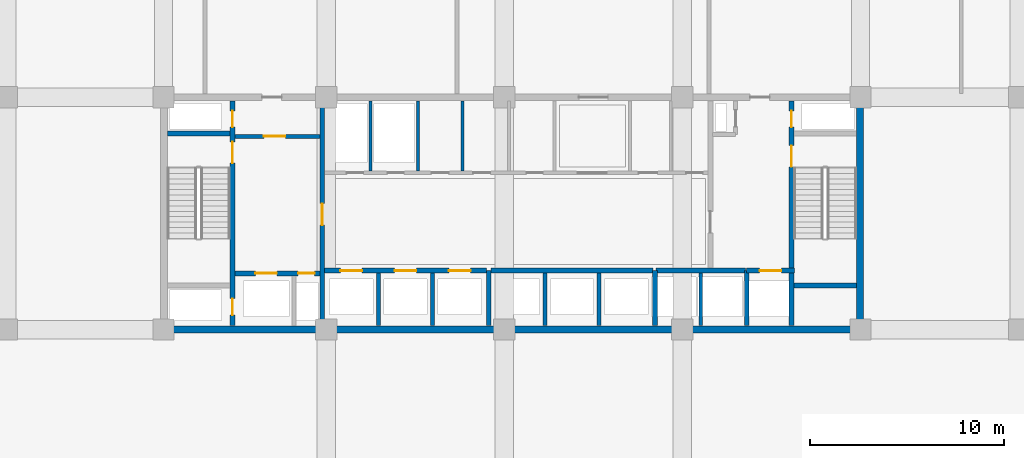
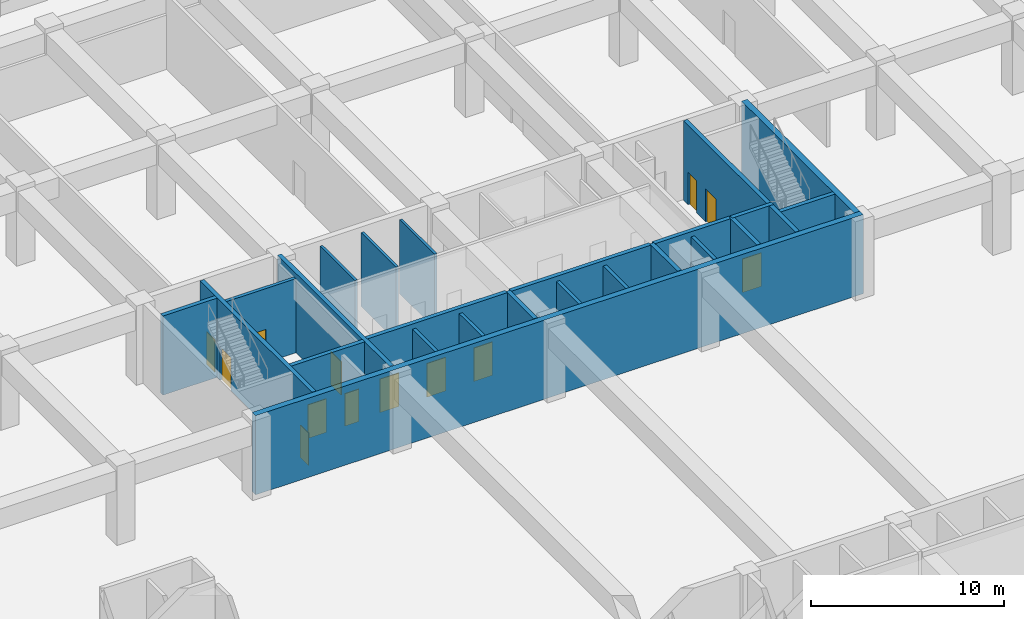
# One storey, part 28 of 38: 24 walls, 13 doors, 13 openings.
"""IFC4 building model written with IfcOpenShell, lengths in metres."""

from ifc_helpers import new_model, si_unit, direction, frame, frame_2d, origin, place, context, subcontext, project, spatial, rectangle, extrude, material, layer, layer_set, type_object, element, fill, save


model = new_model("IFC4")

# Units and contexts
model_context = context("Model", 3, precision=1e-05, world=origin(), true_north=direction((0.0, 1.0)))
body_context = subcontext(model_context, "Body", "Model", "MODEL_VIEW")
ifc_project = project(units=[si_unit("LENGTHUNIT", "METRE"), si_unit("AREAUNIT", "SQUARE_METRE"), si_unit("VOLUMEUNIT", "CUBIC_METRE"), si_unit("PLANEANGLEUNIT", "RADIAN"), si_unit("MASSUNIT", "GRAM", prefix="KILO")], contexts=[model_context])

# Site, building, storey
site_placement = place(None, origin())
site = spatial("IfcSite", under=ifc_project, at=site_placement, CompositionType="ELEMENT")
building_placement = place(site_placement, origin())
building = spatial("IfcBuilding", under=site, at=building_placement, Name="Korimba Cascade Residences", CompositionType="ELEMENT")
storey_placement = place(building_placement, frame((0.0, 0.0, 19.0)))
storey = spatial("IfcBuildingStorey", under=building, at=storey_placement, Name="L04", CompositionType="ELEMENT", Elevation=19.0)

# Walls
ifc_material_1 = material(Name="Concrete C65/80", Category="concrete")
ifc_layer_1 = layer(ifc_material_1, 0.35009765625)
ifc_layer_set_1 = layer_set([ifc_layer_1], Name="Concrete C65/80")
wall_type_1 = type_object("IfcWallType", Name="WAL-CORE-350", PredefinedType="SHEAR", material=ifc_layer_set_1)
wall_1_placement = place(storey_placement, frame((75.949951171875, 55.199951171875, 0.0), z_axis=(0.0, 0.0, 1.0), x_axis=(1.0, 0.0, 0.0)))
element("IfcWall", 1, at=wall_1_placement, inside=storey, type_object=wall_type_1, Name="L04 Core Shear Wall CW-L04-T1-S", PredefinedType="SHEAR", context=body_context, shape_type="SweptSolid", body=[
    extrude(rectangle(XDim=36.300048828125, YDim=0.35009765625, at=frame_2d((18.14990234375, 0.0))), origin(), (0.0, 0.0, 1.0), 5.0),
])
wall_2_placement = place(storey_placement, frame((112.074951171875, 55.375, 0.0), z_axis=(0.0, 0.0, 1.0), x_axis=(0.0, 1.0, 0.0)))
element("IfcWall", 2, at=wall_2_placement, inside=storey, type_object=wall_type_1, Name="L04 Core Shear Wall CW-L04-T1-E", PredefinedType="SHEAR", context=body_context, shape_type="SweptSolid", body=[
    extrude(rectangle(XDim=11.64990234375, YDim=0.35009765625, at=frame_2d((5.824951171875, 0.0))), origin(), (0.0, 0.0, 1.0), 5.0),
])
ifc_material_2 = material(Name="Insulated Acoustic Stud Partition", Category="gypsum")
ifc_layer_2 = layer(ifc_material_2, 0.14990234375)
ifc_layer_set_2 = layer_set([ifc_layer_2], Name="Insulated Acoustic Stud Partition")
wall_type_2 = type_object("IfcWallType", Name="WAL-PART-150", PredefinedType="PARTITIONING", material=ifc_layer_set_2)
for number, where, z_axis, x_axis, name in (
    (3, (86.800048828125, 63.39990234375, 0.0), (0.0, 0.0, 1.0), (0.0, 1.0, 0.0), "L04 Partition Wall CW-L04-T1-ERDIV"),
    (4, (89.25, 63.39990234375, 0.0), (0.0, 0.0, 1.0), (0.0, 1.0, 0.0), "L04 Partition Wall CW-L04-T1-PRDIV"),
    (5, (91.550048828125, 63.39990234375, 0.0), (0.0, 0.0, 1.0), (0.0, 1.0, 0.0), "L04 Partition Wall CW-L04-T1-CA1W1"),
):
    element("IfcWall", number, at=place(storey_placement, frame(where, z_axis=z_axis, x_axis=x_axis)), inside=storey, type_object=wall_type_2, Name=name, PredefinedType="PARTITIONING", context=body_context, shape_type="SweptSolid", body=[
        extrude(rectangle(XDim=3.60009765625, YDim=0.14990234375, at=frame_2d((1.800048828125, 0.0))), origin(), (0.0, 0.0, 1.0), 4.679931640625),
    ])

# Wall, opening, door
ifc_material_3 = material(Name="Concrete C40/50", Category="concrete")
ifc_layer_3 = layer(ifc_material_3, 0.199951171875)
ifc_layer_set_3 = layer_set([ifc_layer_3], Name="Concrete C40/50")
wall_type_3 = type_object("IfcWallType", Name="WAL-PART-200", PredefinedType="PARTITIONING", material=ifc_layer_set_3)
wall_3_placement = place(storey_placement, frame((79.7900390625, 65.179931640625, 0.0), z_axis=(0.0, 0.0, 1.0), x_axis=(1.0, 0.0, 0.0)))
wall_3 = element("IfcWall", 6, at=wall_3_placement, inside=storey, type_object=wall_type_3, Name="L04 Partition Wall CW-L04-T1-FFLN", PredefinedType="PARTITIONING", context=body_context, shape_type="SweptSolid", body=[
    extrude(rectangle(XDim=4.389892578125, YDim=0.199951171875, at=frame_2d((2.19482421875, 0.0))), origin(), (0.0, 0.0, 1.0), 4.679931640625),
])
opening_1_placement = place(wall_3_placement, frame((1.5, 0.0, 0.0)))
opening_1 = element("IfcOpeningElement", 7, at=opening_1_placement, cuts=wall_3, Name="Opening D-FD1", PredefinedType="OPENING", context=body_context, shape_type="SweptSolid", body=[
    extrude(rectangle(XDim=1.10009765625, YDim=2.10009765625, at=frame_2d((0.550048828125, 1.050048828125))), frame((0.0, 0.10986328125, 0.0), z_axis=(0.0, -1.0, 0.0), x_axis=(1.0, 0.0, 0.0)), (0.0, 0.0, 1.0), 0.219970703125),
])
ifc_material_4 = material(Name="Fire-Rated Steel Core Door", Category="steel")
door_type_1 = type_object("IfcDoorType", Name="DR-FD120-1100", OperationType="NOTDEFINED", PredefinedType="DOOR", material=ifc_material_4)
door_1_placement = place(opening_1_placement, origin())
door_1 = element("IfcDoor", 8, at=door_1_placement, inside=storey, type_object=door_type_1, Name="L04 West Firefighting Lobby Door", OperationType="SINGLE_SWING_RIGHT", OverallHeight=2.10009765625, OverallWidth=1.10009765625, PredefinedType="DOOR", context=body_context, shape_type="SweptSolid", body=[
    extrude(rectangle(XDim=1.10009765625, YDim=2.10009765625, at=frame_2d((0.550048828125, 1.050048828125))), frame((0.0, 0.02490234375, 0.0), z_axis=(0.0, -1.0, 0.0), x_axis=(1.0, 0.0, 0.0)), (0.0, 0.0, 1.0), 0.050048828125),
])
fill(opening_1, door_1)

# Walls
for number, where, z_axis, x_axis, name in (
    (9, (87.199951171875, 55.39990234375, 0.0), (0.0, 0.0, 1.0), (0.0, 1.0, 0.0), "L04 Partition Wall CW-L04-T1-B1D1"),
    (10, (90.0, 55.39990234375, 0.0), (0.0, 0.0, 1.0), (0.0, 1.0, 0.0), "L04 Partition Wall CW-L04-T1-B1D2"),
    (11, (95.800048828125, 55.39990234375, 0.0), (0.0, 0.0, 1.0), (0.0, 1.0, 0.0), "L04 Partition Wall CW-L04-T1-B2D1"),
    (12, (98.60009765625, 55.39990234375, 0.0), (0.0, 0.0, 1.0), (0.0, 1.0, 0.0), "L04 Partition Wall CW-L04-T1-B2D2"),
    (13, (103.85009765625, 55.39990234375, 0.0), (0.0, 0.0, 1.0), (0.0, 1.0, 0.0), "L04 Partition Wall CW-L04-T1-B3D1"),
):
    element("IfcWall", number, at=place(storey_placement, frame(where, z_axis=z_axis, x_axis=x_axis)), inside=storey, type_object=wall_type_3, Name=name, PredefinedType="PARTITIONING", context=body_context, shape_type="SweptSolid", body=[
        extrude(rectangle(XDim=2.72021484375, YDim=0.199951171875, at=frame_2d((1.360107421875, 0.0))), origin(), (0.0, 0.0, 1.0), 4.679931640625),
    ])

# Wall, openings, doors
ifc_material_5 = material(Name="Concrete C50/60", Category="concrete")
ifc_layer_4 = layer(ifc_material_5, 0.25)
ifc_layer_set_4 = layer_set([ifc_layer_4], Name="Concrete C50/60")
wall_type_4 = type_object("IfcWallType", Name="WAL-SHAFT-250", PredefinedType="SHEAR", material=ifc_layer_set_4)
wall_4_placement = place(storey_placement, frame((79.6650390625, 55.39990234375, 0.0), z_axis=(0.0, 0.0, 1.0), x_axis=(0.0, 1.0, 0.0)))
wall_4 = element("IfcWall", 14, at=wall_4_placement, inside=storey, type_object=wall_type_4, Name="L04 Core Shear Wall CW-L04-T1-STW1E", PredefinedType="SHEAR", context=body_context, shape_type="SweptSolid", body=[
    extrude(rectangle(XDim=11.60009765625, YDim=0.25, at=frame_2d((5.800048828125, 0.0))), origin(), (0.0, 0.0, 1.0), 5.0),
])
opening_2_placement = place(wall_4_placement, frame((0.550048828125, 0.0, 0.0)))
opening_2 = element("IfcOpeningElement", 15, at=opening_2_placement, cuts=wall_4, Name="Opening D-RS1", PredefinedType="OPENING", context=body_context, shape_type="SweptSolid", body=[
    extrude(rectangle(XDim=0.85009765625, YDim=2.050048828125, at=frame_2d((0.425048828125, 1.02490234375))), frame((0.0, 0.135009765625, 0.0), z_axis=(0.0, -1.0, 0.0), x_axis=(1.0, 0.0, 0.0)), (0.0, 0.0, 1.0), 0.27001953125),
])
opening_3_placement = place(wall_4_placement, frame((8.39990234375, 0.0, 0.0)))
opening_3 = element("IfcOpeningElement", 16, at=opening_3_placement, cuts=wall_4, Name="Opening D-FD1", PredefinedType="OPENING", context=body_context, shape_type="SweptSolid", body=[
    extrude(rectangle(XDim=1.10009765625, YDim=2.10009765625, at=frame_2d((0.550048828125, 1.050048828125))), frame((0.0, 0.135009765625, 0.0), z_axis=(0.0, -1.0, 0.0), x_axis=(1.0, 0.0, 0.0)), (0.0, 0.0, 1.0), 0.27001953125),
])
opening_4_placement = place(wall_4_placement, frame((10.25, 0.0, 0.0)))
opening_4 = element("IfcOpeningElement", 17, at=opening_4_placement, cuts=wall_4, Name="Opening D-RS1", PredefinedType="OPENING", context=body_context, shape_type="SweptSolid", body=[
    extrude(rectangle(XDim=0.85009765625, YDim=2.050048828125, at=frame_2d((0.425048828125, 1.02490234375))), frame((0.0, 0.135009765625, 0.0), z_axis=(0.0, -1.0, 0.0), x_axis=(1.0, 0.0, 0.0)), (0.0, 0.0, 1.0), 0.27001953125),
])
door_2_placement = place(opening_3_placement, origin())
door_2 = element("IfcDoor", 18, at=door_2_placement, inside=storey, type_object=door_type_1, Name="L04 Fire Stair ST-W1 Door", OperationType="SINGLE_SWING_LEFT", OverallHeight=2.10009765625, OverallWidth=1.10009765625, PredefinedType="DOOR", context=body_context, shape_type="SweptSolid", body=[
    extrude(rectangle(XDim=1.10009765625, YDim=2.10009765625, at=frame_2d((0.550048828125, 1.050048828125))), frame((0.0, 0.02490234375, 0.0), z_axis=(0.0, -1.0, 0.0), x_axis=(1.0, 0.0, 0.0)), (0.0, 0.0, 1.0), 0.050048828125),
])
fill(opening_3, door_2)
ifc_material_6 = material(Name="Fire-Rated Steel Riser Access Door", Category="steel")
door_type_2 = type_object("IfcDoorType", Name="DR-FD60-850", OperationType="NOTDEFINED", PredefinedType="DOOR", material=ifc_material_6)
door_3_placement = place(opening_2_placement, origin())
door_3 = element("IfcDoor", 19, at=door_3_placement, inside=storey, type_object=door_type_2, Name="L04 Smoke Riser Access Door", OperationType="SINGLE_SWING_RIGHT", OverallHeight=2.050048828125, OverallWidth=0.85009765625, PredefinedType="DOOR", context=body_context, shape_type="SweptSolid", body=[
    extrude(rectangle(XDim=0.85009765625, YDim=2.050048828125, at=frame_2d((0.425048828125, 1.02490234375))), frame((0.0, 0.02490234375, 0.0), z_axis=(0.0, -1.0, 0.0), x_axis=(1.0, 0.0, 0.0)), (0.0, 0.0, 1.0), 0.050048828125),
])
fill(opening_2, door_3)
door_4_placement = place(opening_4_placement, origin())
door_4 = element("IfcDoor", 20, at=door_4_placement, inside=storey, type_object=door_type_2, Name="L04 Hydrant Riser Access Door", OperationType="SINGLE_SWING_RIGHT", OverallHeight=2.050048828125, OverallWidth=0.85009765625, PredefinedType="DOOR", context=body_context, shape_type="SweptSolid", body=[
    extrude(rectangle(XDim=0.85009765625, YDim=2.050048828125, at=frame_2d((0.425048828125, 1.02490234375))), frame((0.0, 0.02490234375, 0.0), z_axis=(0.0, -1.0, 0.0), x_axis=(1.0, 0.0, 0.0)), (0.0, 0.0, 1.0), 0.050048828125),
])
fill(opening_4, door_4)

# Wall
wall_5_placement = place(storey_placement, frame((76.300048828125, 65.324951171875, 0.0), z_axis=(0.0, 0.0, 1.0), x_axis=(1.0, 0.0, 0.0)))
element("IfcWall", 21, at=wall_5_placement, inside=storey, type_object=wall_type_4, Name="L04 Core Shear Wall CW-L04-T1-STW1N", PredefinedType="SHEAR", context=body_context, shape_type="SweptSolid", body=[
    extrude(rectangle(XDim=3.239990234375, YDim=0.25, at=frame_2d((1.6201171875, 0.0))), origin(), (0.0, 0.0, 1.0), 5.0),
])

# Wall, openings, doors
wall_6_placement = place(storey_placement, frame((79.7900390625, 58.10009765625, 0.0), z_axis=(0.0, 0.0, 1.0), x_axis=(1.0, 0.0, 0.0)))
wall_6 = element("IfcWall", 22, at=wall_6_placement, inside=storey, type_object=wall_type_4, Name="L04 Core Shear Wall CW-L04-T1-FFLS", PredefinedType="SHEAR", context=body_context, shape_type="SweptSolid", body=[
    extrude(rectangle(XDim=4.389892578125, YDim=0.25, at=frame_2d((2.19482421875, 0.0))), origin(), (0.0, 0.0, 1.0), 5.0),
])
opening_5_placement = place(wall_6_placement, frame((1.050048828125, 0.0, 0.0)))
opening_5 = element("IfcOpeningElement", 23, at=opening_5_placement, cuts=wall_6, Name="Opening LD-01", PredefinedType="OPENING", context=body_context, shape_type="SweptSolid", body=[
    extrude(rectangle(XDim=1.1201171875, YDim=2.1201171875, at=frame_2d((0.56005859375, 1.06005859375))), frame((0.0, 0.135009765625, 0.0), z_axis=(0.0, -1.0, 0.0), x_axis=(1.0, 0.0, 0.0)), (0.0, 0.0, 1.0), 0.27001953125),
])
opening_6_placement = place(wall_6_placement, frame((3.260009765625, 0.0, 0.0)))
opening_6 = element("IfcOpeningElement", 24, at=opening_6_placement, cuts=wall_6, Name="Opening D-RS1", PredefinedType="OPENING", context=body_context, shape_type="SweptSolid", body=[
    extrude(rectangle(XDim=0.85009765625, YDim=2.050048828125, at=frame_2d((0.425048828125, 1.02490234375))), frame((0.0, 0.135009765625, 0.0), z_axis=(0.0, -1.0, 0.0), x_axis=(1.0, 0.0, 0.0)), (0.0, 0.0, 1.0), 0.27001953125),
])
door_5_placement = place(opening_6_placement, origin())
door_5 = element("IfcDoor", 25, at=door_5_placement, inside=storey, type_object=door_type_2, Name="L04 Pressurisation Riser Door", OperationType="SINGLE_SWING_LEFT", OverallHeight=2.050048828125, OverallWidth=0.85009765625, PredefinedType="DOOR", context=body_context, shape_type="SweptSolid", body=[
    extrude(rectangle(XDim=0.85009765625, YDim=2.050048828125, at=frame_2d((0.425048828125, 1.02490234375))), frame((0.0, 0.02490234375, 0.0), z_axis=(0.0, -1.0, 0.0), x_axis=(1.0, 0.0, 0.0)), (0.0, 0.0, 1.0), 0.050048828125),
])
fill(opening_6, door_5)
ifc_material_7 = material(Name="Stainless Steel Lift Landing Sliding Door", Category="steel")
door_type_3 = type_object("IfcDoorType", Name="DR-LIFT-1100", OperationType="NOTDEFINED", PredefinedType="DOOR", material=ifc_material_7)
door_6_placement = place(opening_5_placement, origin())
door_6 = element("IfcDoor", 26, at=door_6_placement, inside=storey, type_object=door_type_3, Name="L04 Firefighting Lift Landing Door FFL-W1", OperationType="SLIDING_TO_LEFT", OverallHeight=2.1201171875, OverallWidth=1.1201171875, PredefinedType="DOOR", context=body_context, shape_type="SweptSolid", body=[
    extrude(rectangle(XDim=1.1201171875, YDim=2.1201171875, at=frame_2d((0.56005859375, 1.06005859375))), frame((0.0, 0.02490234375, 0.0), z_axis=(0.0, -1.0, 0.0), x_axis=(1.0, 0.0, 0.0)), (0.0, 0.0, 1.0), 0.050048828125),
])
fill(opening_5, door_6)

# Wall, opening, door
wall_7_placement = place(storey_placement, frame((84.300048828125, 55.39990234375, 0.0), z_axis=(0.0, 0.0, 1.0), x_axis=(0.0, 1.0, 0.0)))
wall_7 = element("IfcWall", 27, at=wall_7_placement, inside=storey, type_object=wall_type_4, Name="L04 Core Shear Wall CW-L04-T1-FFLE", PredefinedType="SHEAR", context=body_context, shape_type="SweptSolid", body=[
    extrude(rectangle(XDim=11.60009765625, YDim=0.25, at=frame_2d((5.800048828125, 0.0))), origin(), (0.0, 0.0, 1.0), 5.0),
])
opening_7_placement = place(wall_7_placement, frame((5.199951171875, 0.0, 0.0)))
opening_7 = element("IfcOpeningElement", 28, at=opening_7_placement, cuts=wall_7, Name="Opening D-FD1", PredefinedType="OPENING", context=body_context, shape_type="SweptSolid", body=[
    extrude(rectangle(XDim=1.10009765625, YDim=2.10009765625, at=frame_2d((0.550048828125, 1.050048828125))), frame((0.0, 0.135009765625, 0.0), z_axis=(0.0, -1.0, 0.0), x_axis=(1.0, 0.0, 0.0)), (0.0, 0.0, 1.0), 0.27001953125),
])
door_7_placement = place(opening_7_placement, origin())
door_7 = element("IfcDoor", 29, at=door_7_placement, inside=storey, type_object=door_type_1, Name="L04 Firefighting Lobby to Lift Lobby Door", OperationType="SINGLE_SWING_LEFT", OverallHeight=2.10009765625, OverallWidth=1.10009765625, PredefinedType="DOOR", context=body_context, shape_type="SweptSolid", body=[
    extrude(rectangle(XDim=1.10009765625, YDim=2.10009765625, at=frame_2d((0.550048828125, 1.050048828125))), frame((0.0, 0.02490234375, 0.0), z_axis=(0.0, -1.0, 0.0), x_axis=(1.0, 0.0, 0.0)), (0.0, 0.0, 1.0), 0.050048828125),
])
fill(opening_7, door_7)

# Wall, openings, doors
wall_8_placement = place(storey_placement, frame((84.419921875, 58.25, 0.0), z_axis=(0.0, 0.0, 1.0), x_axis=(1.0, 0.0, 0.0)))
wall_8 = element("IfcWall", 30, at=wall_8_placement, inside=storey, type_object=wall_type_4, Name="L04 Core Shear Wall CW-L04-T1-B1N", PredefinedType="SHEAR", context=body_context, shape_type="SweptSolid", body=[
    extrude(rectangle(XDim=8.360107421875, YDim=0.25, at=frame_2d((4.18017578125, 0.0))), origin(), (0.0, 0.0, 1.0), 5.0),
])
opening_8_placement = place(wall_8_placement, frame((0.820068359375, 0.0, 0.0)))
opening_8 = element("IfcOpeningElement", 31, at=opening_8_placement, cuts=wall_8, Name="Opening LD-01", PredefinedType="OPENING", context=body_context, shape_type="SweptSolid", body=[
    extrude(rectangle(XDim=1.1201171875, YDim=2.1201171875, at=frame_2d((0.56005859375, 1.06005859375))), frame((0.0, 0.135009765625, 0.0), z_axis=(0.0, -1.0, 0.0), x_axis=(1.0, 0.0, 0.0)), (0.0, 0.0, 1.0), 0.27001953125),
])
opening_9_placement = place(wall_8_placement, frame((3.6201171875, 0.0, 0.0)))
opening_9 = element("IfcOpeningElement", 32, at=opening_9_placement, cuts=wall_8, Name="Opening LD-01", PredefinedType="OPENING", context=body_context, shape_type="SweptSolid", body=[
    extrude(rectangle(XDim=1.1201171875, YDim=2.1201171875, at=frame_2d((0.56005859375, 1.06005859375))), frame((0.0, 0.135009765625, 0.0), z_axis=(0.0, -1.0, 0.0), x_axis=(1.0, 0.0, 0.0)), (0.0, 0.0, 1.0), 0.27001953125),
])
opening_10_placement = place(wall_8_placement, frame((6.419921875, 0.0, 0.0)))
opening_10 = element("IfcOpeningElement", 33, at=opening_10_placement, cuts=wall_8, Name="Opening LD-01", PredefinedType="OPENING", context=body_context, shape_type="SweptSolid", body=[
    extrude(rectangle(XDim=1.1201171875, YDim=2.1201171875, at=frame_2d((0.56005859375, 1.06005859375))), frame((0.0, 0.135009765625, 0.0), z_axis=(0.0, -1.0, 0.0), x_axis=(1.0, 0.0, 0.0)), (0.0, 0.0, 1.0), 0.27001953125),
])
door_8_placement = place(opening_8_placement, origin())
door_8 = element("IfcDoor", 34, at=door_8_placement, inside=storey, type_object=door_type_3, Name="L04 Lift Landing Door PL-W1", OperationType="SLIDING_TO_LEFT", OverallHeight=2.1201171875, OverallWidth=1.1201171875, PredefinedType="DOOR", context=body_context, shape_type="SweptSolid", body=[
    extrude(rectangle(XDim=1.1201171875, YDim=2.1201171875, at=frame_2d((0.56005859375, 1.06005859375))), frame((0.0, 0.02490234375, 0.0), z_axis=(0.0, -1.0, 0.0), x_axis=(1.0, 0.0, 0.0)), (0.0, 0.0, 1.0), 0.050048828125),
])
fill(opening_8, door_8)
door_9_placement = place(opening_9_placement, origin())
door_9 = element("IfcDoor", 35, at=door_9_placement, inside=storey, type_object=door_type_3, Name="L04 Lift Landing Door PL-W2", OperationType="SLIDING_TO_LEFT", OverallHeight=2.1201171875, OverallWidth=1.1201171875, PredefinedType="DOOR", context=body_context, shape_type="SweptSolid", body=[
    extrude(rectangle(XDim=1.1201171875, YDim=2.1201171875, at=frame_2d((0.56005859375, 1.06005859375))), frame((0.0, 0.02490234375, 0.0), z_axis=(0.0, -1.0, 0.0), x_axis=(1.0, 0.0, 0.0)), (0.0, 0.0, 1.0), 0.050048828125),
])
fill(opening_9, door_9)
door_10_placement = place(opening_10_placement, origin())
door_10 = element("IfcDoor", 36, at=door_10_placement, inside=storey, type_object=door_type_3, Name="L04 Lift Landing Door PL-W3", OperationType="SLIDING_TO_LEFT", OverallHeight=2.1201171875, OverallWidth=1.1201171875, PredefinedType="DOOR", context=body_context, shape_type="SweptSolid", body=[
    extrude(rectangle(XDim=1.1201171875, YDim=2.1201171875, at=frame_2d((0.56005859375, 1.06005859375))), frame((0.0, 0.02490234375, 0.0), z_axis=(0.0, -1.0, 0.0), x_axis=(1.0, 0.0, 0.0)), (0.0, 0.0, 1.0), 0.050048828125),
])
fill(opening_10, door_10)

# Walls
wall_9_placement = place(storey_placement, frame((92.89990234375, 55.39990234375, 0.0), z_axis=(0.0, 0.0, 1.0), x_axis=(0.0, 1.0, 0.0)))
element("IfcWall", 37, at=wall_9_placement, inside=storey, type_object=wall_type_4, Name="L04 Core Shear Wall CW-L04-T1-B12DIV", PredefinedType="SHEAR", context=body_context, shape_type="SweptSolid", body=[
    extrude(rectangle(XDim=2.85009765625, YDim=0.25, at=frame_2d((1.425048828125, 0.0))), origin(), (0.0, 0.0, 1.0), 5.0),
])
wall_10_placement = place(storey_placement, frame((93.02001953125, 58.25, 0.0), z_axis=(0.0, 0.0, 1.0), x_axis=(1.0, 0.0, 0.0)))
element("IfcWall", 38, at=wall_10_placement, inside=storey, type_object=wall_type_4, Name="L04 Core Shear Wall CW-L04-T1-B2N", PredefinedType="SHEAR", context=body_context, shape_type="SweptSolid", body=[
    extrude(rectangle(XDim=8.35986328125, YDim=0.25, at=frame_2d((4.179931640625, 0.0))), origin(), (0.0, 0.0, 1.0), 5.0),
])
wall_11_placement = place(storey_placement, frame((101.47998046875, 55.39990234375, 0.0), z_axis=(0.0, 0.0, 1.0), x_axis=(0.0, 1.0, 0.0)))
element("IfcWall", 39, at=wall_11_placement, inside=storey, type_object=wall_type_4, Name="L04 Core Shear Wall CW-L04-T1-B23DIV", PredefinedType="SHEAR", context=body_context, shape_type="SweptSolid", body=[
    extrude(rectangle(XDim=2.85009765625, YDim=0.25, at=frame_2d((1.425048828125, 0.0))), origin(), (0.0, 0.0, 1.0), 5.0),
])
wall_12_placement = place(storey_placement, frame((101.550048828125, 58.25, 0.0), z_axis=(0.0, 0.0, 1.0), x_axis=(1.0, 0.0, 0.0)))
element("IfcWall", 40, at=wall_12_placement, inside=storey, type_object=wall_type_4, Name="L04 Core Shear Wall CW-L04-T1-B3N", PredefinedType="SHEAR", context=body_context, shape_type="SweptSolid", body=[
    extrude(rectangle(XDim=4.599853515625, YDim=0.25, at=frame_2d((2.2998046875, 0.0))), origin(), (0.0, 0.0, 1.0), 5.0),
])
wall_13_placement = place(storey_placement, frame((106.219970703125, 55.39990234375, 0.0), z_axis=(0.0, 0.0, 1.0), x_axis=(0.0, 1.0, 0.0)))
element("IfcWall", 41, at=wall_13_placement, inside=storey, type_object=wall_type_4, Name="L04 Core Shear Wall CW-L04-T1-FF2W", PredefinedType="SHEAR", context=body_context, shape_type="SweptSolid", body=[
    extrude(rectangle(XDim=2.85009765625, YDim=0.25, at=frame_2d((1.425048828125, 0.0))), origin(), (0.0, 0.0, 1.0), 5.0),
])

# Wall, opening, door
wall_14_placement = place(storey_placement, frame((106.219970703125, 58.25, 0.0), z_axis=(0.0, 0.0, 1.0), x_axis=(1.0, 0.0, 0.0)))
wall_14 = element("IfcWall", 42, at=wall_14_placement, inside=storey, type_object=wall_type_4, Name="L04 Core Shear Wall CW-L04-T1-FF2N", PredefinedType="SHEAR", context=body_context, shape_type="SweptSolid", body=[
    extrude(rectangle(XDim=2.4599609375, YDim=0.25, at=frame_2d((1.22998046875, 0.0))), origin(), (0.0, 0.0, 1.0), 5.0),
])
opening_11_placement = place(wall_14_placement, frame((0.669921875, 0.0, 0.0)))
opening_11 = element("IfcOpeningElement", 43, at=opening_11_placement, cuts=wall_14, Name="Opening LD-01", PredefinedType="OPENING", context=body_context, shape_type="SweptSolid", body=[
    extrude(rectangle(XDim=1.1201171875, YDim=2.1201171875, at=frame_2d((0.56005859375, 1.06005859375))), frame((0.0, 0.135009765625, 0.0), z_axis=(0.0, -1.0, 0.0), x_axis=(1.0, 0.0, 0.0)), (0.0, 0.0, 1.0), 0.27001953125),
])
door_11_placement = place(opening_11_placement, origin())
door_11 = element("IfcDoor", 44, at=door_11_placement, inside=storey, type_object=door_type_3, Name="L04 Firefighting Lift Landing Door FFL-W2", OperationType="SLIDING_TO_RIGHT", OverallHeight=2.1201171875, OverallWidth=1.1201171875, PredefinedType="DOOR", context=body_context, shape_type="SweptSolid", body=[
    extrude(rectangle(XDim=1.1201171875, YDim=2.1201171875, at=frame_2d((0.56005859375, 1.06005859375))), frame((0.0, 0.02490234375, 0.0), z_axis=(0.0, -1.0, 0.0), x_axis=(1.0, 0.0, 0.0)), (0.0, 0.0, 1.0), 0.050048828125),
])
fill(opening_11, door_11)

# Wall, openings, doors
wall_15_placement = place(storey_placement, frame((108.534912109375, 55.39990234375, 0.0), z_axis=(0.0, 0.0, 1.0), x_axis=(0.0, 1.0, 0.0)))
wall_15 = element("IfcWall", 45, at=wall_15_placement, inside=storey, type_object=wall_type_4, Name="L04 Core Shear Wall CW-L04-T1-STW2W", PredefinedType="SHEAR", context=body_context, shape_type="SweptSolid", body=[
    extrude(rectangle(XDim=11.60009765625, YDim=0.25, at=frame_2d((5.800048828125, 0.0))), origin(), (0.0, 0.0, 1.0), 5.0),
])
opening_12_placement = place(wall_15_placement, frame((8.199951171875, 0.0, 0.0)))
opening_12 = element("IfcOpeningElement", 46, at=opening_12_placement, cuts=wall_15, Name="Opening D-FD1", PredefinedType="OPENING", context=body_context, shape_type="SweptSolid", body=[
    extrude(rectangle(XDim=1.10009765625, YDim=2.10009765625, at=frame_2d((0.550048828125, 1.050048828125))), frame((0.0, 0.135009765625, 0.0), z_axis=(0.0, -1.0, 0.0), x_axis=(1.0, 0.0, 0.0)), (0.0, 0.0, 1.0), 0.27001953125),
])
opening_13_placement = place(wall_15_placement, frame((10.25, 0.0, 0.0)))
opening_13 = element("IfcOpeningElement", 47, at=opening_13_placement, cuts=wall_15, Name="Opening D-RS1", PredefinedType="OPENING", context=body_context, shape_type="SweptSolid", body=[
    extrude(rectangle(XDim=0.85009765625, YDim=2.050048828125, at=frame_2d((0.425048828125, 1.02490234375))), frame((0.0, 0.135009765625, 0.0), z_axis=(0.0, -1.0, 0.0), x_axis=(1.0, 0.0, 0.0)), (0.0, 0.0, 1.0), 0.27001953125),
])
door_12_placement = place(opening_12_placement, origin())
door_12 = element("IfcDoor", 48, at=door_12_placement, inside=storey, type_object=door_type_1, Name="L04 Fire Stair ST-W2 Door", OperationType="SINGLE_SWING_LEFT", OverallHeight=2.10009765625, OverallWidth=1.10009765625, PredefinedType="DOOR", context=body_context, shape_type="SweptSolid", body=[
    extrude(rectangle(XDim=1.10009765625, YDim=2.10009765625, at=frame_2d((0.550048828125, 1.050048828125))), frame((0.0, 0.02490234375, 0.0), z_axis=(0.0, -1.0, 0.0), x_axis=(1.0, 0.0, 0.0)), (0.0, 0.0, 1.0), 0.050048828125),
])
fill(opening_12, door_12)
door_13_placement = place(opening_13_placement, origin())
door_13 = element("IfcDoor", 49, at=door_13_placement, inside=storey, type_object=door_type_2, Name="L04 East Riser Door", OperationType="SINGLE_SWING_RIGHT", OverallHeight=2.050048828125, OverallWidth=0.85009765625, PredefinedType="DOOR", context=body_context, shape_type="SweptSolid", body=[
    extrude(rectangle(XDim=0.85009765625, YDim=2.050048828125, at=frame_2d((0.425048828125, 1.02490234375))), frame((0.0, 0.02490234375, 0.0), z_axis=(0.0, -1.0, 0.0), x_axis=(1.0, 0.0, 0.0)), (0.0, 0.0, 1.0), 0.050048828125),
])
fill(opening_13, door_13)

# Wall
wall_16_placement = place(storey_placement, frame((108.659912109375, 57.47509765625, 0.0), z_axis=(0.0, 0.0, 1.0), x_axis=(1.0, 0.0, 0.0)))
element("IfcWall", 50, at=wall_16_placement, inside=storey, type_object=wall_type_4, Name="L04 Core Shear Wall CW-L04-T1-STW2S", PredefinedType="SHEAR", context=body_context, shape_type="SweptSolid", body=[
    extrude(rectangle(XDim=3.239990234375, YDim=0.25, at=frame_2d((1.6201171875, 0.0))), origin(), (0.0, 0.0, 1.0), 5.0),
])

save(model, "model.ifc")
